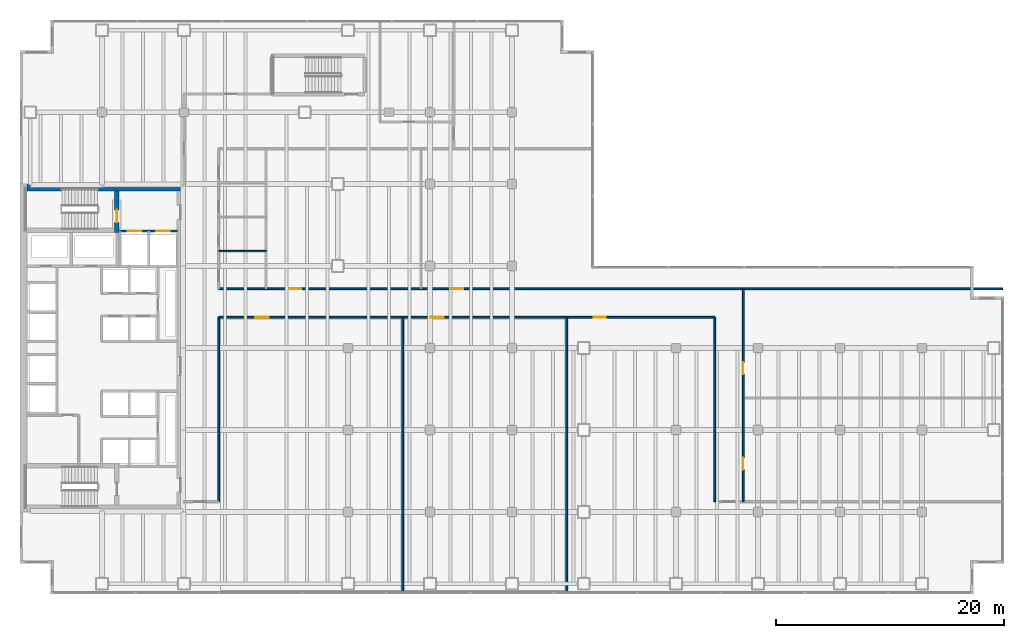
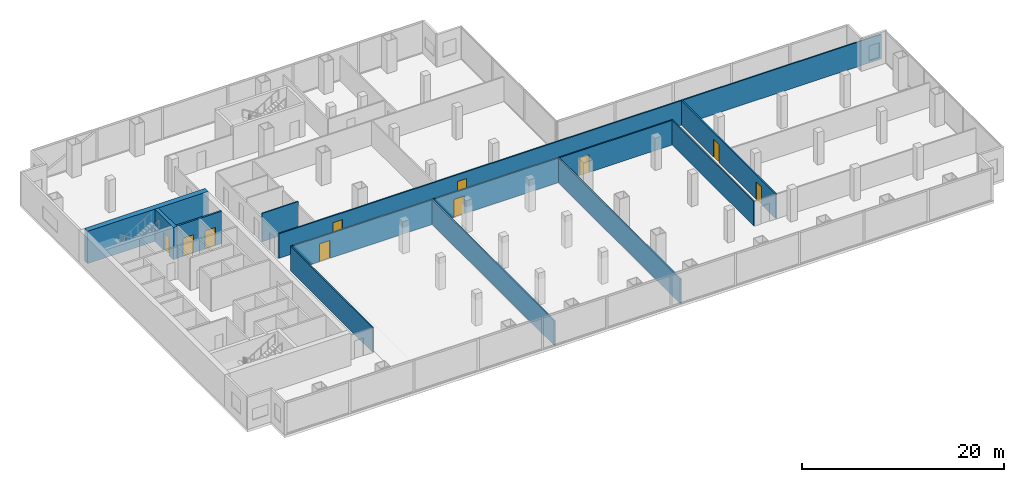
# One storey, part 23 of 28: 11 walls, 10 doors, 10 openings.
"""IFC4 building model written with IfcOpenShell, lengths in metres."""

from ifc_helpers import new_model, si_unit, direction, frame, frame_2d, origin, place, context, subcontext, project, spatial, rectangle, extrude, material, layer, layer_set, type_object, element, fill, save


model = new_model("IFC4")

# Units and contexts
model_context = context("Model", 3, precision=1e-05, world=origin(), true_north=direction((0.0, 1.0)))
body_context = subcontext(model_context, "Body", "Model", "MODEL_VIEW")
ifc_project = project(units=[si_unit("LENGTHUNIT", "METRE"), si_unit("AREAUNIT", "SQUARE_METRE"), si_unit("VOLUMEUNIT", "CUBIC_METRE"), si_unit("PLANEANGLEUNIT", "RADIAN"), si_unit("MASSUNIT", "GRAM", prefix="KILO")], contexts=[model_context])

# Site, building, storey
site_placement = place(None, origin())
site = spatial("IfcSite", under=ifc_project, at=site_placement, CompositionType="ELEMENT")
building_placement = place(site_placement, origin())
building = spatial("IfcBuilding", under=site, at=building_placement, Name="Cobrela Telecom Tower", CompositionType="ELEMENT")
storey_placement = place(building_placement, frame((0.0, 0.0, 17.85009765625)))
storey = spatial("IfcBuildingStorey", under=building, at=storey_placement, Name="L04", CompositionType="ELEMENT", Elevation=17.85009765625)

# Walls
ifc_material_1 = material(Name="Concrete C50/60", Category="concrete")
ifc_layer_1 = layer(ifc_material_1, 0.60009765625)
ifc_layer_set_1 = layer_set([ifc_layer_1], Name="Concrete C50/60")
wall_type_1 = type_object("IfcWallType", Name="WALL-CORE-C50-600", PredefinedType="SHEAR", material=ifc_layer_set_1)
wall_1_placement = place(storey_placement, frame((0.60009765625, 35.699951171875, 0.0), z_axis=(0.0, 0.0, 1.0), x_axis=(1.0, 0.0, 0.0)))
element("IfcWall", 1, at=wall_1_placement, inside=storey, type_object=wall_type_1, Name="L04 North Core Shear Wall", PredefinedType="SHEAR", context=body_context, shape_type="SweptSolid", body=[
    extrude(rectangle(XDim=13.7998046875, YDim=0.60009765625, at=frame_2d((6.89990234375, 0.0))), origin(), (0.0, 0.0, 1.0), 3.909912109375),
])
ifc_material_2 = material(Name="Fire-Rated Gypsum Plasterboard")
ifc_layer_2 = layer(ifc_material_2, 0.125)
ifc_layer_set_2 = layer_set([ifc_layer_2], Name="Fire-Rated Gypsum Plasterboard")
wall_type_2 = type_object("IfcWallType", Name="WALL-PART-125", PredefinedType="PARTITIONING", material=ifc_layer_set_2)
wall_2_placement = place(storey_placement, frame((17.449951171875, 30.10009765625, 0.0), z_axis=(0.0, 0.0, 1.0), x_axis=(1.0, 0.0, 0.0)))
element("IfcWall", 2, at=wall_2_placement, inside=storey, type_object=wall_type_2, Name="L04 Interior Partition W-P4WC-3", PredefinedType="PARTITIONING", context=body_context, shape_type="SweptSolid", body=[
    extrude(rectangle(XDim=4.150146484375, YDim=0.125, at=frame_2d((2.0751953125, 0.0))), origin(), (0.0, 0.0, 1.0), 3.427978515625),
])
ifc_layer_3 = layer(ifc_material_2, 0.14990234375)
ifc_layer_set_3 = layer_set([ifc_layer_3], Name="Fire-Rated Gypsum Plasterboard")
wall_type_3 = type_object("IfcWallType", Name="WALL-PART-150", PredefinedType="PARTITIONING", material=ifc_layer_set_3)
wall_3_placement = place(storey_placement, frame((17.449951171875, 8.10009765625, 0.0), z_axis=(0.0, 0.0, 1.0), x_axis=(0.0, 1.0, 0.0)))
element("IfcWall", 3, at=wall_3_placement, inside=storey, type_object=wall_type_3, Name="L04 Interior Partition W-P4-E1", PredefinedType="PARTITIONING", context=body_context, shape_type="SweptSolid", body=[
    extrude(rectangle(XDim=16.199951171875, YDim=0.14990234375, at=frame_2d((8.10009765625, 0.0))), origin(), (0.0, 0.0, 1.0), 2.968017578125),
])

# Wall, openings, doors
wall_4_placement = place(storey_placement, frame((17.449951171875, 24.300048828125, 0.0), z_axis=(0.0, 0.0, 1.0), x_axis=(1.0, 0.0, 0.0)))
wall_4 = element("IfcWall", 4, at=wall_4_placement, inside=storey, type_object=wall_type_3, Name="L04 Interior Partition W-P4-CS", PredefinedType="PARTITIONING", context=body_context, shape_type="SweptSolid", body=[
    extrude(rectangle(XDim=43.550048828125, YDim=0.14990234375, at=frame_2d((21.77490234375, 0.0))), origin(), (0.0, 0.0, 1.0), 2.968017578125),
])
opening_1_placement = place(wall_4_placement, frame((3.199951171875, 0.0, 0.0)))
opening_1 = element("IfcOpeningElement", 5, at=opening_1_placement, cuts=wall_4, Name="Opening DR-13", PredefinedType="OPENING", context=body_context, shape_type="SweptSolid", body=[
    extrude(rectangle(XDim=1.199951171875, YDim=2.14990234375, at=frame_2d((0.60009765625, 1.074951171875))), frame((0.0, 0.0869140625, 0.0), z_axis=(0.0, -1.0, 0.0), x_axis=(1.0, 0.0, 0.0)), (0.0, 0.0, 1.0), 0.173828125),
])
opening_2_placement = place(wall_4_placement, frame((18.550048828125, 0.0, 0.0)))
opening_2 = element("IfcOpeningElement", 6, at=opening_2_placement, cuts=wall_4, Name="Opening DR-13", PredefinedType="OPENING", context=body_context, shape_type="SweptSolid", body=[
    extrude(rectangle(XDim=1.199951171875, YDim=2.14990234375, at=frame_2d((0.60009765625, 1.074951171875))), frame((0.0, 0.0869140625, 0.0), z_axis=(0.0, -1.0, 0.0), x_axis=(1.0, 0.0, 0.0)), (0.0, 0.0, 1.0), 0.173828125),
])
opening_3_placement = place(wall_4_placement, frame((32.949951171875, 0.0, 0.0)))
opening_3 = element("IfcOpeningElement", 7, at=opening_3_placement, cuts=wall_4, Name="Opening DR-29", PredefinedType="OPENING", context=body_context, shape_type="SweptSolid", body=[
    extrude(rectangle(XDim=1.050048828125, YDim=2.14990234375, at=frame_2d((0.52490234375, 1.074951171875))), frame((0.0, 0.0869140625, 0.0), z_axis=(0.0, -1.0, 0.0), x_axis=(1.0, 0.0, 0.0)), (0.0, 0.0, 1.0), 0.173828125),
])
ifc_material_3 = material(Name="Solid Engineered Oak Timber", Category="wood")
door_type_1 = type_object("IfcDoorType", Name="DOOR-INT-1050", OperationType="SINGLE_SWING_LEFT", PredefinedType="DOOR", material=ifc_material_3)
door_1_placement = place(opening_3_placement, origin())
door_1 = element("IfcDoor", 8, at=door_1_placement, inside=storey, type_object=door_type_1, Name="L04 Door DR-29", OperationType="SINGLE_SWING_LEFT", OverallHeight=2.14990234375, OverallWidth=1.050048828125, PredefinedType="DOOR", context=body_context, shape_type="SweptSolid", body=[
    extrude(rectangle(XDim=1.050048828125, YDim=2.14990234375, at=frame_2d((0.52490234375, 1.074951171875))), frame((0.0, 0.02490234375, 0.0), z_axis=(0.0, -1.0, 0.0), x_axis=(1.0, 0.0, 0.0)), (0.0, 0.0, 1.0), 0.050048828125),
])
fill(opening_3, door_1)
ifc_material_4 = material(Name="Anodized Bronze Aluminium 6063-T6", Category="aluminium")
door_type_2 = type_object("IfcDoorType", Name="DOOR-INT-1200", OperationType="SINGLE_SWING_LEFT", PredefinedType="DOOR", material=ifc_material_4)
door_2_placement = place(opening_1_placement, origin())
door_2 = element("IfcDoor", 9, at=door_2_placement, inside=storey, type_object=door_type_2, Name="L04 Door DR-13", OperationType="SINGLE_SWING_LEFT", OverallHeight=2.14990234375, OverallWidth=1.199951171875, PredefinedType="DOOR", context=body_context, shape_type="SweptSolid", body=[
    extrude(rectangle(XDim=1.199951171875, YDim=2.14990234375, at=frame_2d((0.60009765625, 1.074951171875))), frame((0.0, 0.02490234375, 0.0), z_axis=(0.0, -1.0, 0.0), x_axis=(1.0, 0.0, 0.0)), (0.0, 0.0, 1.0), 0.050048828125),
])
fill(opening_1, door_2)
door_3_placement = place(opening_2_placement, origin())
door_3 = element("IfcDoor", 10, at=door_3_placement, inside=storey, type_object=door_type_2, Name="L04 Door DR-13", OperationType="SINGLE_SWING_RIGHT", OverallHeight=2.14990234375, OverallWidth=1.199951171875, PredefinedType="DOOR", context=body_context, shape_type="SweptSolid", body=[
    extrude(rectangle(XDim=1.199951171875, YDim=2.14990234375, at=frame_2d((0.60009765625, 1.074951171875))), frame((0.0, 0.02490234375, 0.0), z_axis=(0.0, -1.0, 0.0), x_axis=(1.0, 0.0, 0.0)), (0.0, 0.0, 1.0), 0.050048828125),
])
fill(opening_2, door_3)

wall_5_placement = place(storey_placement, frame((17.449951171875, 26.800048828125, 0.0), z_axis=(0.0, 0.0, 1.0), x_axis=(1.0, 0.0, 0.0)))
wall_5 = element("IfcWall", 11, at=wall_5_placement, inside=storey, type_object=wall_type_3, Name="L04 Interior Partition W-P4-CN", PredefinedType="PARTITIONING", context=body_context, shape_type="SweptSolid", body=[
    extrude(rectangle(XDim=68.830078125, YDim=0.14990234375, at=frame_2d((34.4150390625, 0.0))), origin(), (0.0, 0.0, 1.0), 2.968017578125),
])
opening_4_placement = place(wall_5_placement, frame((6.199951171875, 0.0, 0.0)))
opening_4 = element("IfcOpeningElement", 12, at=opening_4_placement, cuts=wall_5, Name="Opening DR-29", PredefinedType="OPENING", context=body_context, shape_type="SweptSolid", body=[
    extrude(rectangle(XDim=1.050048828125, YDim=2.14990234375, at=frame_2d((0.52490234375, 1.074951171875))), frame((0.0, 0.0869140625, 0.0), z_axis=(0.0, -1.0, 0.0), x_axis=(1.0, 0.0, 0.0)), (0.0, 0.0, 1.0), 0.173828125),
])
opening_5_placement = place(wall_5_placement, frame((20.39990234375, 0.0, 0.0)))
opening_5 = element("IfcOpeningElement", 13, at=opening_5_placement, cuts=wall_5, Name="Opening DR-29", PredefinedType="OPENING", context=body_context, shape_type="SweptSolid", body=[
    extrude(rectangle(XDim=1.050048828125, YDim=2.14990234375, at=frame_2d((0.52490234375, 1.074951171875))), frame((0.0, 0.0869140625, 0.0), z_axis=(0.0, -1.0, 0.0), x_axis=(1.0, 0.0, 0.0)), (0.0, 0.0, 1.0), 0.173828125),
])
door_4_placement = place(opening_4_placement, origin())
door_4 = element("IfcDoor", 14, at=door_4_placement, inside=storey, type_object=door_type_1, Name="L04 Door DR-29", OperationType="SINGLE_SWING_RIGHT", OverallHeight=2.14990234375, OverallWidth=1.050048828125, PredefinedType="DOOR", context=body_context, shape_type="SweptSolid", body=[
    extrude(rectangle(XDim=1.050048828125, YDim=2.14990234375, at=frame_2d((0.52490234375, 1.074951171875))), frame((0.0, 0.02490234375, 0.0), z_axis=(0.0, -1.0, 0.0), x_axis=(1.0, 0.0, 0.0)), (0.0, 0.0, 1.0), 0.050048828125),
])
fill(opening_4, door_4)
door_5_placement = place(opening_5_placement, origin())
door_5 = element("IfcDoor", 15, at=door_5_placement, inside=storey, type_object=door_type_1, Name="L04 Door DR-29", OperationType="SINGLE_SWING_LEFT", OverallHeight=2.14990234375, OverallWidth=1.050048828125, PredefinedType="DOOR", context=body_context, shape_type="SweptSolid", body=[
    extrude(rectangle(XDim=1.050048828125, YDim=2.14990234375, at=frame_2d((0.52490234375, 1.074951171875))), frame((0.0, 0.02490234375, 0.0), z_axis=(0.0, -1.0, 0.0), x_axis=(1.0, 0.0, 0.0)), (0.0, 0.0, 1.0), 0.050048828125),
])
fill(opening_5, door_5)

# Wall
wall_6_placement = place(storey_placement, frame((61.0, 8.10009765625, 0.0), z_axis=(0.0, 0.0, 1.0), x_axis=(0.0, 1.0, 0.0)))
element("IfcWall", 16, at=wall_6_placement, inside=storey, type_object=wall_type_3, Name="L04 Interior Partition W-P4-LPW", PredefinedType="PARTITIONING", context=body_context, shape_type="SweptSolid", body=[
    extrude(rectangle(XDim=16.199951171875, YDim=0.14990234375, at=frame_2d((8.10009765625, 0.0))), origin(), (0.0, 0.0, 1.0), 2.968017578125),
])

# Wall, openings, doors
wall_7_placement = place(storey_placement, frame((63.5, 8.10009765625, 0.0), z_axis=(0.0, 0.0, 1.0), x_axis=(0.0, 1.0, 0.0)))
wall_7 = element("IfcWall", 17, at=wall_7_placement, inside=storey, type_object=wall_type_3, Name="L04 Interior Partition W-P4-LPE", PredefinedType="PARTITIONING", context=body_context, shape_type="SweptSolid", body=[
    extrude(rectangle(XDim=18.699951171875, YDim=0.14990234375, at=frame_2d((9.35009765625, 0.0))), origin(), (0.0, 0.0, 1.0), 2.968017578125),
])
opening_6_placement = place(wall_7_placement, frame((11.199951171875, 0.0, 0.0)))
opening_6 = element("IfcOpeningElement", 18, at=opening_6_placement, cuts=wall_7, Name="Opening DR-29", PredefinedType="OPENING", context=body_context, shape_type="SweptSolid", body=[
    extrude(rectangle(XDim=1.050048828125, YDim=2.14990234375, at=frame_2d((0.52490234375, 1.074951171875))), frame((0.0, 0.0869140625, 0.0), z_axis=(0.0, -1.0, 0.0), x_axis=(1.0, 0.0, 0.0)), (0.0, 0.0, 1.0), 0.173828125),
])
opening_7_placement = place(wall_7_placement, frame((2.800048828125, 0.0, 0.0)))
opening_7 = element("IfcOpeningElement", 19, at=opening_7_placement, cuts=wall_7, Name="Opening DR-29", PredefinedType="OPENING", context=body_context, shape_type="SweptSolid", body=[
    extrude(rectangle(XDim=1.050048828125, YDim=2.14990234375, at=frame_2d((0.52490234375, 1.074951171875))), frame((0.0, 0.0869140625, 0.0), z_axis=(0.0, -1.0, 0.0), x_axis=(1.0, 0.0, 0.0)), (0.0, 0.0, 1.0), 0.173828125),
])
door_6_placement = place(opening_6_placement, origin())
door_6 = element("IfcDoor", 20, at=door_6_placement, inside=storey, type_object=door_type_1, Name="L04 Door DR-29", OperationType="SINGLE_SWING_LEFT", OverallHeight=2.14990234375, OverallWidth=1.050048828125, PredefinedType="DOOR", context=body_context, shape_type="SweptSolid", body=[
    extrude(rectangle(XDim=1.050048828125, YDim=2.14990234375, at=frame_2d((0.52490234375, 1.074951171875))), frame((0.0, 0.02490234375, 0.0), z_axis=(0.0, -1.0, 0.0), x_axis=(1.0, 0.0, 0.0)), (0.0, 0.0, 1.0), 0.050048828125),
])
fill(opening_6, door_6)
door_7_placement = place(opening_7_placement, origin())
door_7 = element("IfcDoor", 21, at=door_7_placement, inside=storey, type_object=door_type_1, Name="L04 Door DR-29", OperationType="SINGLE_SWING_RIGHT", OverallHeight=2.14990234375, OverallWidth=1.050048828125, PredefinedType="DOOR", context=body_context, shape_type="SweptSolid", body=[
    extrude(rectangle(XDim=1.050048828125, YDim=2.14990234375, at=frame_2d((0.52490234375, 1.074951171875))), frame((0.0, 0.02490234375, 0.0), z_axis=(0.0, -1.0, 0.0), x_axis=(1.0, 0.0, 0.0)), (0.0, 0.0, 1.0), 0.050048828125),
])
fill(opening_7, door_7)

# Walls
for number, where, z_axis, x_axis, name in (
    (22, (33.60009765625, 0.1201171875, 0.0), (0.0, 0.0, 1.0), (0.0, 1.0, 0.0), "L04 Interior Partition W-P4-SV1"),
    (23, (48.0, 0.1201171875, 0.0), (0.0, 0.0, 1.0), (0.0, 1.0, 0.0), "L04 Interior Partition W-P4-SV2"),
):
    element("IfcWall", number, at=place(storey_placement, frame(where, z_axis=z_axis, x_axis=x_axis)), inside=storey, type_object=wall_type_3, Name=name, PredefinedType="PARTITIONING", context=body_context, shape_type="SweptSolid", body=[
        extrude(rectangle(XDim=24.179931640625, YDim=0.14990234375, at=frame_2d((12.08984375, 0.0))), origin(), (0.0, 0.0, 1.0), 2.968017578125),
    ])

# Wall, openings, doors
ifc_layer_4 = layer(ifc_material_2, 0.199951171875)
ifc_layer_set_4 = layer_set([ifc_layer_4], Name="Fire-Rated Gypsum Plasterboard")
wall_type_4 = type_object("IfcWallType", Name="WALL-SHAFT-200", PredefinedType="PARTITIONING", material=ifc_layer_set_4)
wall_8_placement = place(storey_placement, frame((8.699951171875, 31.8798828125, 0.0), z_axis=(0.0, 0.0, 1.0), x_axis=(1.0, 0.0, 0.0)))
wall_8 = element("IfcWall", 24, at=wall_8_placement, inside=storey, type_object=wall_type_4, Name="L04 Shaft Enclosure CW-FFL-S", PredefinedType="PARTITIONING", context=body_context, shape_type="SweptSolid", body=[
    extrude(rectangle(XDim=5.150146484375, YDim=0.199951171875, at=frame_2d((2.5751953125, 0.0))), origin(), (0.0, 0.0, 1.0), 3.909912109375),
])
opening_8_placement = place(wall_8_placement, frame((0.75, 0.0, 0.0)))
opening_8 = element("IfcOpeningElement", 25, at=opening_8_placement, cuts=wall_8, Name="Opening LD-2", PredefinedType="OPENING", context=body_context, shape_type="SweptSolid", body=[
    extrude(rectangle(XDim=1.199951171875, YDim=2.199951171875, at=frame_2d((0.60009765625, 1.10009765625))), frame((0.0, 0.11181640625, 0.0), z_axis=(0.0, -1.0, 0.0), x_axis=(1.0, 0.0, 0.0)), (0.0, 0.0, 1.0), 0.223876953125),
])
opening_9_placement = place(wall_8_placement, frame((3.25, 0.0, 0.0)))
opening_9 = element("IfcOpeningElement", 26, at=opening_9_placement, cuts=wall_8, Name="Opening LD-2", PredefinedType="OPENING", context=body_context, shape_type="SweptSolid", body=[
    extrude(rectangle(XDim=1.199951171875, YDim=2.199951171875, at=frame_2d((0.60009765625, 1.10009765625))), frame((0.0, 0.11181640625, 0.0), z_axis=(0.0, -1.0, 0.0), x_axis=(1.0, 0.0, 0.0)), (0.0, 0.0, 1.0), 0.223876953125),
])
ifc_material_5 = material(Name="Steel ASTM A36", Category="steel")
door_type_3 = type_object("IfcDoorType", Name="DOOR-LD-FFL", OperationType="SINGLE_SWING_LEFT", PredefinedType="DOOR", material=ifc_material_5)
door_8_placement = place(opening_8_placement, origin())
door_8 = element("IfcDoor", 27, at=door_8_placement, inside=storey, type_object=door_type_3, Name="L04 Lift Landing Door LD-2", OperationType="DOUBLE_DOOR_SLIDING", OverallHeight=2.199951171875, OverallWidth=1.199951171875, PredefinedType="DOOR", context=body_context, shape_type="SweptSolid", body=[
    extrude(rectangle(XDim=1.199951171875, YDim=2.199951171875, at=frame_2d((0.60009765625, 1.10009765625))), frame((0.0, 0.02490234375, 0.0), z_axis=(0.0, -1.0, 0.0), x_axis=(1.0, 0.0, 0.0)), (0.0, 0.0, 1.0), 0.050048828125),
])
fill(opening_8, door_8)
door_9_placement = place(opening_9_placement, origin())
door_9 = element("IfcDoor", 28, at=door_9_placement, inside=storey, type_object=door_type_3, Name="L04 Lift Landing Door LD-2", OperationType="DOUBLE_DOOR_SLIDING", OverallHeight=2.199951171875, OverallWidth=1.199951171875, PredefinedType="DOOR", context=body_context, shape_type="SweptSolid", body=[
    extrude(rectangle(XDim=1.199951171875, YDim=2.199951171875, at=frame_2d((0.60009765625, 1.10009765625))), frame((0.0, 0.02490234375, 0.0), z_axis=(0.0, -1.0, 0.0), x_axis=(1.0, 0.0, 0.0)), (0.0, 0.0, 1.0), 0.050048828125),
])
fill(opening_9, door_9)

# Wall, opening, door
ifc_material_6 = material(Name="Concrete C40/50", Category="concrete")
ifc_layer_5 = layer(ifc_material_6, 0.39990234375)
ifc_layer_set_5 = layer_set([ifc_layer_5], Name="Concrete C40/50")
wall_type_5 = type_object("IfcWallType", Name="WALL-SHAFT-C40-400", PredefinedType="SHEAR", material=ifc_layer_set_5)
wall_9_placement = place(storey_placement, frame((8.5, 31.719970703125, 0.0), z_axis=(0.0, 0.0, 1.0), x_axis=(0.0, 1.0, 0.0)))
wall_9 = element("IfcWall", 29, at=wall_9_placement, inside=storey, type_object=wall_type_5, Name="L04 North Stair Lobby Shear Wall", PredefinedType="SHEAR", context=body_context, shape_type="SweptSolid", body=[
    extrude(rectangle(XDim=3.679931640625, YDim=0.39990234375, at=frame_2d((1.83984375, 0.0))), origin(), (0.0, 0.0, 1.0), 3.909912109375),
])
opening_10_placement = place(wall_9_placement, frame((0.89990234375, 0.0, 0.0)))
opening_10 = element("IfcOpeningElement", 30, at=opening_10_placement, cuts=wall_9, Name="Opening DR-59", PredefinedType="OPENING", context=body_context, shape_type="SweptSolid", body=[
    extrude(rectangle(XDim=1.10009765625, YDim=2.14990234375, at=frame_2d((0.550048828125, 1.074951171875))), frame((0.0, 0.2119140625, 0.0), z_axis=(0.0, -1.0, 0.0), x_axis=(1.0, 0.0, 0.0)), (0.0, 0.0, 1.0), 0.423828125),
])
door_type_4 = type_object("IfcDoorType", Name="DOOR-FD60-1100", OperationType="SINGLE_SWING_LEFT", PredefinedType="DOOR", material=ifc_material_5)
door_10_placement = place(opening_10_placement, origin())
door_10 = element("IfcDoor", 31, at=door_10_placement, inside=storey, type_object=door_type_4, Name="L04 Door DR-59", OperationType="SINGLE_SWING_RIGHT", OverallHeight=2.14990234375, OverallWidth=1.10009765625, PredefinedType="DOOR", context=body_context, shape_type="SweptSolid", body=[
    extrude(rectangle(XDim=1.10009765625, YDim=2.14990234375, at=frame_2d((0.550048828125, 1.074951171875))), frame((0.0, 0.02490234375, 0.0), z_axis=(0.0, -1.0, 0.0), x_axis=(1.0, 0.0, 0.0)), (0.0, 0.0, 1.0), 0.050048828125),
])
fill(opening_10, door_10)

save(model, "model.ifc")
